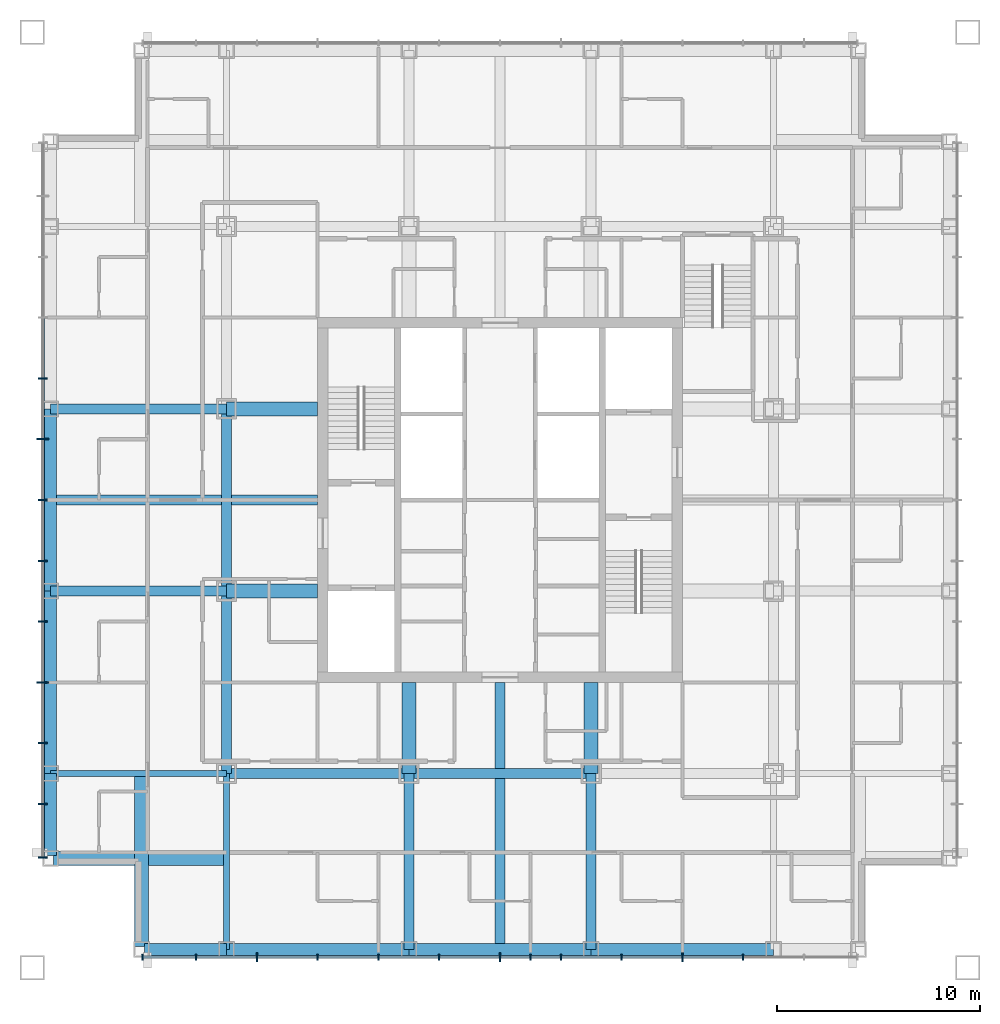
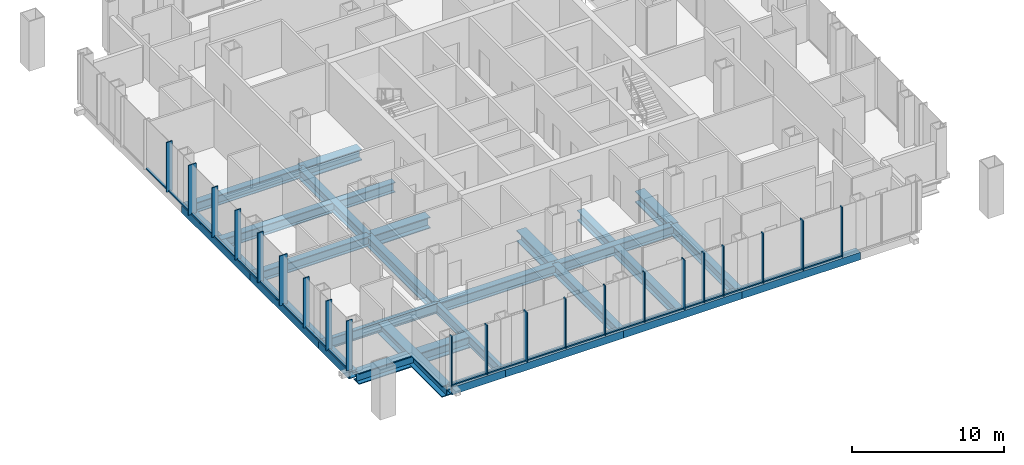
# One storey, part 2 of 11: 41 members, 25 beams, 2 elements without a shape of their own.
"""IFC4 building model written with IfcOpenShell, lengths in metres."""

import ifcopenshell
import ifcopenshell.guid

model = None  # the IFC model being written
_history = None  # IfcOwnerHistory: only IFC2X3 demands one
_inside = {}  # id of a spatial element -> (the spatial element, [elements in it])
_under = {}  # id of a project, library or spatial element -> (it, [spatial elements below it])
_declared = {}  # id of a project -> (the project, [libraries it declares])
_typed = {}  # id of a type object -> (the type object, [elements of that type])
_made_of = {}  # id of a material, layer set ... -> (it, [elements and type objects made of it])


def new_model(schema):
    """Start an empty IFC model of exactly this schema.

    Asked for "IFC4X3", IfcOpenShell would pick the latest addendum, in which some entities
    have other attributes; the version numbers below select the first issue.
    IFC2X3 requires an IfcOwnerHistory on every rooted entity: one is made here for all.
    """
    global model, _history
    if schema == "IFC4X3":
        model = ifcopenshell.file(schema_version=(4, 3, 0, 0))
    else:
        model = ifcopenshell.file(schema=schema)
    _inside.clear()
    _under.clear()
    _declared.clear()
    _typed.clear()
    _made_of.clear()
    _history = None
    if model.schema == "IFC2X3":
        org = make("IfcOrganization", Name="unknown")
        user = make(
            "IfcPersonAndOrganization",
            ThePerson=make("IfcPerson", FamilyName="unknown"),
            TheOrganization=org,
        )
        app = make(
            "IfcApplication",
            ApplicationDeveloper=org,
            Version="unknown",
            ApplicationFullName="unknown",
            ApplicationIdentifier="unknown",
        )
        _history = make(
            "IfcOwnerHistory",
            OwningUser=user,
            OwningApplication=app,
            ChangeAction="ADDED",
            CreationDate=0,
        )
    return model


def make(cls, **values):
    """One entity of the class cls with the attributes given. An attribute that is None is left unset."""
    return model.create_entity(
        cls, **{name: value for name, value in values.items() if value is not None}
    )


def rooted(cls, **values):
    """An entity with a GlobalId (a new one), such as an element, a storey or a relation."""
    return make(cls, GlobalId=ifcopenshell.guid.new(), OwnerHistory=_history, **values)


def si_unit(unit_type, name, prefix=None):
    """IfcSIUnit, for example si_unit("LENGTHUNIT", "METRE", prefix="MILLI")."""
    return make("IfcSIUnit", UnitType=unit_type, Prefix=prefix, Name=name)


def assignment(units):
    """IfcUnitAssignment: the units of a project."""
    return None if units is None else make("IfcUnitAssignment", Units=units)


def point(xyz):
    """IfcCartesianPoint."""
    return None if xyz is None else make("IfcCartesianPoint", Coordinates=xyz)


def direction(xyz):
    """IfcDirection."""
    return None if xyz is None else make("IfcDirection", DirectionRatios=xyz)


def frame(location, z_axis=None, x_axis=None):
    """IfcAxis2Placement3D, a coordinate frame: its origin and axes. An axis left out is left unset."""
    return make(
        "IfcAxis2Placement3D",
        Location=point(location),
        Axis=direction(z_axis),
        RefDirection=direction(x_axis),
    )


def frame_2d(location, x_axis=None):
    """IfcAxis2Placement2D, a coordinate frame in the plane: its origin and x axis."""
    return make(
        "IfcAxis2Placement2D", Location=point(location), RefDirection=direction(x_axis)
    )


def origin():
    """The frame at (0, 0, 0) with its axes left unset."""
    return frame((0.0, 0.0, 0.0))


def origin_2d():
    """The frame at (0, 0) in the plane with its x axis left unset."""
    return frame_2d((0.0, 0.0))


def place(relative_to, where):
    """IfcLocalPlacement: puts the frame where relative to a parent placement (None: the world)."""
    return make(
        "IfcLocalPlacement", PlacementRelTo=relative_to, RelativePlacement=where
    )


def context(
    kind, dimensions, precision=None, world=None, true_north=None, identifier=None
):
    """IfcGeometricRepresentationContext, for example the 3D "Model" context."""
    return make(
        "IfcGeometricRepresentationContext",
        ContextIdentifier=identifier,
        ContextType=kind,
        CoordinateSpaceDimension=dimensions,
        Precision=precision,
        WorldCoordinateSystem=world,
        TrueNorth=true_north,
    )


def subcontext(parent, identifier, kind, view, scale=None):
    """IfcGeometricRepresentationSubContext, for example "Body" below "Model"."""
    return make(
        "IfcGeometricRepresentationSubContext",
        ContextIdentifier=identifier,
        ContextType=kind,
        ParentContext=parent,
        TargetScale=scale,
        TargetView=view,
    )


def project(units=None, contexts=None):
    """IfcProject with its units and contexts."""
    return rooted(
        "IfcProject",
        Name="project",
        RepresentationContexts=contexts,
        UnitsInContext=assignment(units),
    )


def spatial(cls, under=None, at=None, **own):
    """A site, building, storey or space (cls), placed at a placement, below another one or the project."""
    s = rooted(cls, ObjectPlacement=at, **own)
    if under is not None:
        _under.setdefault(under.id(), (under, []))[1].append(s)
    return s


def profile(cls, at=None, kind="AREA", **sizes):
    """A parametric profile (cls). Its sizes go by their IFC names, for example OverallWidth=200.0."""
    return make(cls, ProfileType=kind, Position=at, **sizes)


def rectangle(**sizes):
    """IfcRectangleProfileDef."""
    return profile("IfcRectangleProfileDef", **sizes)


def hollow_rectangle(**sizes):
    """IfcRectangleHollowProfileDef."""
    return profile("IfcRectangleHollowProfileDef", **sizes)


def i_section(**sizes):
    """IfcIShapeProfileDef."""
    return profile("IfcIShapeProfileDef", **sizes)


def extrude(swept, where, along, depth):
    """IfcExtrudedAreaSolid: the profile swept, set in the frame where, extruded along a direction by depth."""
    return make(
        "IfcExtrudedAreaSolid",
        SweptArea=swept,
        Position=where,
        ExtrudedDirection=direction(along),
        Depth=depth,
    )


def shape(context_of_items, identifier, shape_type, items):
    """IfcShapeRepresentation: the items that make up one representation, for example the "Body"."""
    return make(
        "IfcShapeRepresentation",
        ContextOfItems=context_of_items,
        RepresentationIdentifier=identifier,
        RepresentationType=shape_type,
        Items=items,
    )


def material(Name=None, Category=None):
    """IfcMaterial."""
    return make("IfcMaterial", Name=Name, Category=Category)


def layer(
    of_material, thickness, ventilated=None, Name=None, Category=None, Priority=None
):
    """IfcMaterialLayer: one layer of a wall or slab, of a material (None: an air gap)."""
    return make(
        "IfcMaterialLayer",
        Material=of_material,
        LayerThickness=thickness,
        IsVentilated=ventilated,
        Name=Name,
        Category=Category,
        Priority=Priority,
    )


def layer_set(layers, Name=None):
    """IfcMaterialLayerSet."""
    return make("IfcMaterialLayerSet", MaterialLayers=layers, LayerSetName=Name)


def material_profile(
    of_material, cross_section, Name=None, Category=None, Priority=None
):
    """IfcMaterialProfile: a cross section and its material."""
    return make(
        "IfcMaterialProfile",
        Name=Name,
        Material=of_material,
        Profile=cross_section,
        Priority=Priority,
        Category=Category,
    )


def profile_set(profiles, Name=None, composite=None):
    """IfcMaterialProfileSet."""
    return make(
        "IfcMaterialProfileSet",
        Name=Name,
        MaterialProfiles=profiles,
        CompositeProfile=composite,
    )


def made_of(thing, what):
    """Note that an element or type object is made of a material, layer set ...; save() writes the relation."""
    if what is not None:
        _made_of.setdefault(what.id(), (what, []))[1].append(thing)
    return thing


def type_object(cls, material=None, **own):
    """A type object (cls), such as IfcWallType, which elements share."""
    return made_of(rooted(cls, **own), material)


def element(
    cls,
    number,
    at=None,
    inside=None,
    cuts=None,
    type_object=None,
    material=None,
    context=None,
    identifier="Body",
    shape_type=None,
    held_by="IfcProductDefinitionShape",
    body=None,
    shapes=None,
    **own,
):
    """One element of the class cls, such as IfcWall. Its Tag is "e" and its number.

    at: its placement. inside: the storey or other place that contains it. cuts: it is an
    opening in that element (IfcRelVoidsElement). A single representation is given by context,
    identifier, shape_type and body (its items); several are given by shapes. held_by: the class
    of the entity that holds the representations. save() writes the other relations.
    """
    e = rooted(cls, Tag="e%d" % number, ObjectPlacement=at, **own)
    if body is not None:
        shapes = [shape(context, identifier, shape_type, body)]
    if shapes is not None:
        e.Representation = make(held_by, Representations=shapes)
    if inside is not None:
        _inside.setdefault(inside.id(), (inside, []))[1].append(e)
    if cuts is not None:
        rooted(
            "IfcRelVoidsElement", RelatingBuildingElement=cuts, RelatedOpeningElement=e
        )
    if type_object is not None:
        _typed.setdefault(type_object.id(), (type_object, []))[1].append(e)
    return made_of(e, material)


def aggregate(whole, parts):
    """IfcRelAggregates: a whole, such as a stair, and the parts it consists of."""
    return rooted("IfcRelAggregates", RelatingObject=whole, RelatedObjects=parts)


def save(model, path):
    """Write the relations noted so far, then the file.

    IfcRelAggregates (storeys below a building ...), IfcRelContainedInSpatialStructure (elements
    in a storey), IfcRelDefinesByType, IfcRelAssociatesMaterial and IfcRelDeclares: one each for
    every whole, place, type object, material and project.
    """
    for whole, parts in _under.values():
        aggregate(whole, parts)
    for where, things in _inside.values():
        rooted(
            "IfcRelContainedInSpatialStructure",
            RelatedElements=things,
            RelatingStructure=where,
        )
    for kind, things in _typed.values():
        rooted("IfcRelDefinesByType", RelatedObjects=things, RelatingType=kind)
    for what, things in _made_of.values():
        rooted("IfcRelAssociatesMaterial", RelatedObjects=things, RelatingMaterial=what)
    for by, libraries in _declared.values():
        rooted("IfcRelDeclares", RelatingContext=by, RelatedDefinitions=libraries)
    model.write(path)


model = new_model("IFC4")

# Units and contexts
model_context = context("Model", 3, precision=1e-05, world=origin(), true_north=direction((0.0, 1.0)))
body_context = subcontext(model_context, "Body", "Model", "MODEL_VIEW")
ifc_project = project(units=[si_unit("LENGTHUNIT", "METRE"), si_unit("AREAUNIT", "SQUARE_METRE"), si_unit("VOLUMEUNIT", "CUBIC_METRE"), si_unit("PLANEANGLEUNIT", "RADIAN"), si_unit("MASSUNIT", "GRAM", prefix="KILO")], contexts=[model_context])

# Site, building, storey
site_placement = place(None, origin())
site = spatial("IfcSite", under=ifc_project, at=site_placement, CompositionType="ELEMENT")
building_placement = place(site_placement, origin())
building = spatial("IfcBuilding", under=site, at=building_placement, Name="Malebo Sky Hospital", CompositionType="ELEMENT")
storey_placement = place(building_placement, frame((0.0, 0.0, 205.0)))
storey = spatial("IfcBuildingStorey", under=building, at=storey_placement, Name="L49", CompositionType="ELEMENT", Elevation=205.0)

# Curtain wall, members
ifc_material_1 = material(Name="Anodised aluminium, natural silver", Category="aluminium")
ifc_layer_1 = layer(ifc_material_1, 0.25)
ifc_layer_set_1 = layer_set([ifc_layer_1], Name="WARD CURTAIN WALL EAST AND WEST")
curtain_wall_type_1 = type_object("IfcCurtainWallType", Name="WARD CURTAIN WALL EAST AND WEST", PredefinedType="NOTDEFINED", material=ifc_layer_set_1)
curtain_wall_1_placement = place(storey_placement, origin())
curtain_wall_1 = element("IfcCurtainWall", 1, at=curtain_wall_1_placement, inside=storey, type_object=curtain_wall_type_1, Name="EW curtain wall W", PredefinedType="NOTDEFINED")
ifc_material_profile_1 = material_profile(ifc_material_1, rectangle(XDim=0.14990234375, YDim=0.10009765625, at=origin_2d()), Name="ALUMINIUM TRANSOM 150x100")
ifc_profile_set_1 = profile_set([ifc_material_profile_1], Name="Anodised aluminium, natural silver")
member_type_1 = type_object("IfcMemberType", Name="ALUMINIUM TRANSOM 150x100", PredefinedType="USERDEFINED", material=ifc_profile_set_1)
member_1_placement = place(storey_placement, frame((37.425048828125, 44.375, 0.050048828125), z_axis=(0.0, 1.0, 0.0), x_axis=(-1.0, 0.0, 0.0)))
member_1 = element("IfcMember", 2, at=member_1_placement, type_object=member_type_1, Name="Transom 1", ObjectType="TRANSOM", PredefinedType="USERDEFINED", context=body_context, shape_type="SweptSolid", body=[
    extrude(rectangle(XDim=0.14990234375, YDim=0.10009765625, at=origin_2d()), origin(), (0.0, 0.0, 1.0), 2.58740234375),
])
member_2_placement = place(storey_placement, frame((37.425048828125, 47.03759765625, 0.050048828125), z_axis=(0.0, 1.0, 0.0), x_axis=(-1.0, 0.0, 0.0)))
member_2 = element("IfcMember", 3, at=member_2_placement, type_object=member_type_1, Name="Transom 2", ObjectType="TRANSOM", PredefinedType="USERDEFINED", context=body_context, shape_type="SweptSolid", body=[
    extrude(rectangle(XDim=0.14990234375, YDim=0.10009765625, at=origin_2d()), origin(), (0.0, 0.0, 1.0), 2.9248046875),
])
member_3_placement = place(storey_placement, frame((37.425048828125, 50.03759765625, 0.050048828125), z_axis=(0.0, 1.0, 0.0), x_axis=(-1.0, 0.0, 0.0)))
member_3 = element("IfcMember", 4, at=member_3_placement, type_object=member_type_1, Name="Transom 3", ObjectType="TRANSOM", PredefinedType="USERDEFINED", context=body_context, shape_type="SweptSolid", body=[
    extrude(rectangle(XDim=0.14990234375, YDim=0.10009765625, at=origin_2d()), origin(), (0.0, 0.0, 1.0), 2.9248046875),
])
member_4_placement = place(storey_placement, frame((37.425048828125, 53.03759765625, 0.050048828125), z_axis=(0.0, 1.0, 0.0), x_axis=(-1.0, 0.0, 0.0)))
member_4 = element("IfcMember", 5, at=member_4_placement, type_object=member_type_1, Name="Transom 4", ObjectType="TRANSOM", PredefinedType="USERDEFINED", context=body_context, shape_type="SweptSolid", body=[
    extrude(rectangle(XDim=0.14990234375, YDim=0.10009765625, at=origin_2d()), origin(), (0.0, 0.0, 1.0), 2.9248046875),
])
member_5_placement = place(storey_placement, frame((37.425048828125, 56.03759765625, 0.050048828125), z_axis=(0.0, 1.0, 0.0), x_axis=(-1.0, 0.0, 0.0)))
member_5 = element("IfcMember", 6, at=member_5_placement, type_object=member_type_1, Name="Transom 5", ObjectType="TRANSOM", PredefinedType="USERDEFINED", context=body_context, shape_type="SweptSolid", body=[
    extrude(rectangle(XDim=0.14990234375, YDim=0.10009765625, at=origin_2d()), origin(), (0.0, 0.0, 1.0), 2.9248046875),
])
member_6_placement = place(storey_placement, frame((37.425048828125, 59.03759765625, 0.050048828125), z_axis=(0.0, 1.0, 0.0), x_axis=(-1.0, 0.0, 0.0)))
member_6 = element("IfcMember", 7, at=member_6_placement, type_object=member_type_1, Name="Transom 6", ObjectType="TRANSOM", PredefinedType="USERDEFINED", context=body_context, shape_type="SweptSolid", body=[
    extrude(rectangle(XDim=0.14990234375, YDim=0.10009765625, at=origin_2d()), origin(), (0.0, 0.0, 1.0), 2.9248046875),
])
member_7_placement = place(storey_placement, frame((37.425048828125, 62.03759765625, 0.050048828125), z_axis=(0.0, 1.0, 0.0), x_axis=(-1.0, 0.0, 0.0)))
member_7 = element("IfcMember", 8, at=member_7_placement, type_object=member_type_1, Name="Transom 7", ObjectType="TRANSOM", PredefinedType="USERDEFINED", context=body_context, shape_type="SweptSolid", body=[
    extrude(rectangle(XDim=0.14990234375, YDim=0.10009765625, at=origin_2d()), origin(), (0.0, 0.0, 1.0), 2.9248046875),
])
member_8_placement = place(storey_placement, frame((37.425048828125, 65.03759765625, 0.050048828125), z_axis=(0.0, 1.0, 0.0), x_axis=(-1.0, 0.0, 0.0)))
member_8 = element("IfcMember", 9, at=member_8_placement, type_object=member_type_1, Name="Transom 8", ObjectType="TRANSOM", PredefinedType="USERDEFINED", context=body_context, shape_type="SweptSolid", body=[
    extrude(rectangle(XDim=0.14990234375, YDim=0.10009765625, at=origin_2d()), origin(), (0.0, 0.0, 1.0), 2.9248046875),
])
member_9_placement = place(storey_placement, frame((37.425048828125, 68.03759765625, 0.050048828125), z_axis=(0.0, 1.0, 0.0), x_axis=(-1.0, 0.0, 0.0)))
member_9 = element("IfcMember", 10, at=member_9_placement, type_object=member_type_1, Name="Transom 9", ObjectType="TRANSOM", PredefinedType="USERDEFINED", context=body_context, shape_type="SweptSolid", body=[
    extrude(rectangle(XDim=0.14990234375, YDim=0.10009765625, at=origin_2d()), origin(), (0.0, 0.0, 1.0), 2.9248046875),
])

ifc_layer_2 = layer(ifc_material_1, 0.25)
ifc_layer_set_2 = layer_set([ifc_layer_2], Name="WARD CURTAIN WALL NORTH AND SOUTH")
curtain_wall_type_2 = type_object("IfcCurtainWallType", Name="WARD CURTAIN WALL NORTH AND SOUTH", PredefinedType="NOTDEFINED", material=ifc_layer_set_2)
curtain_wall_2_placement = place(storey_placement, origin())
curtain_wall_2 = element("IfcCurtainWall", 11, at=curtain_wall_2_placement, inside=storey, type_object=curtain_wall_type_2, Name="NS curtain wall S", PredefinedType="NOTDEFINED")
member_10_placement = place(storey_placement, frame((71.96240234375, 39.425048828125, 0.050048828125), z_axis=(-1.0, 0.0, 0.0), x_axis=(0.0, -1.0, 0.0)))
member_10 = element("IfcMember", 12, at=member_10_placement, type_object=member_type_1, Name="Transom 3", ObjectType="TRANSOM", PredefinedType="USERDEFINED", context=body_context, shape_type="SweptSolid", body=[
    extrude(rectangle(XDim=0.14990234375, YDim=0.10009765625, at=origin_2d()), origin(), (0.0, 0.0, 1.0), 2.9248046875),
])
member_11_placement = place(storey_placement, frame((68.96240234375, 39.425048828125, 0.050048828125), z_axis=(-1.0, 0.0, 0.0), x_axis=(0.0, -1.0, 0.0)))
member_11 = element("IfcMember", 13, at=member_11_placement, type_object=member_type_1, Name="Transom 4", ObjectType="TRANSOM", PredefinedType="USERDEFINED", context=body_context, shape_type="SweptSolid", body=[
    extrude(rectangle(XDim=0.14990234375, YDim=0.10009765625, at=origin_2d()), origin(), (0.0, 0.0, 1.0), 2.9248046875),
])
member_12_placement = place(storey_placement, frame((65.96240234375, 39.425048828125, 0.050048828125), z_axis=(-1.0, 0.0, 0.0), x_axis=(0.0, -1.0, 0.0)))
member_12 = element("IfcMember", 14, at=member_12_placement, type_object=member_type_1, Name="Transom 5", ObjectType="TRANSOM", PredefinedType="USERDEFINED", context=body_context, shape_type="SweptSolid", body=[
    extrude(rectangle(XDim=0.14990234375, YDim=0.10009765625, at=origin_2d()), origin(), (0.0, 0.0, 1.0), 2.9248046875),
])
member_13_placement = place(storey_placement, frame((62.96240234375, 39.425048828125, 0.050048828125), z_axis=(-1.0, 0.0, 0.0), x_axis=(0.0, -1.0, 0.0)))
member_13 = element("IfcMember", 15, at=member_13_placement, type_object=member_type_1, Name="Transom 6", ObjectType="TRANSOM", PredefinedType="USERDEFINED", context=body_context, shape_type="SweptSolid", body=[
    extrude(rectangle(XDim=0.14990234375, YDim=0.10009765625, at=origin_2d()), origin(), (0.0, 0.0, 1.0), 1.4248046875),
])
member_14_placement = place(storey_placement, frame((61.46240234375, 39.425048828125, 0.050048828125), z_axis=(-1.0, 0.0, 0.0), x_axis=(0.0, -1.0, 0.0)))
member_14 = element("IfcMember", 16, at=member_14_placement, type_object=member_type_1, Name="Transom 7", ObjectType="TRANSOM", PredefinedType="USERDEFINED", context=body_context, shape_type="SweptSolid", body=[
    extrude(rectangle(XDim=0.14990234375, YDim=0.10009765625, at=origin_2d()), origin(), (0.0, 0.0, 1.0), 1.4248046875),
])
member_15_placement = place(storey_placement, frame((59.96240234375, 39.425048828125, 0.050048828125), z_axis=(-1.0, 0.0, 0.0), x_axis=(0.0, -1.0, 0.0)))
member_15 = element("IfcMember", 17, at=member_15_placement, type_object=member_type_1, Name="Transom 8", ObjectType="TRANSOM", PredefinedType="USERDEFINED", context=body_context, shape_type="SweptSolid", body=[
    extrude(rectangle(XDim=0.14990234375, YDim=0.10009765625, at=origin_2d()), origin(), (0.0, 0.0, 1.0), 2.9248046875),
])
member_16_placement = place(storey_placement, frame((56.96240234375, 39.425048828125, 0.050048828125), z_axis=(-1.0, 0.0, 0.0), x_axis=(0.0, -1.0, 0.0)))
member_16 = element("IfcMember", 18, at=member_16_placement, type_object=member_type_1, Name="Transom 9", ObjectType="TRANSOM", PredefinedType="USERDEFINED", context=body_context, shape_type="SweptSolid", body=[
    extrude(rectangle(XDim=0.14990234375, YDim=0.10009765625, at=origin_2d()), origin(), (0.0, 0.0, 1.0), 2.9248046875),
])
member_17_placement = place(storey_placement, frame((53.96240234375, 39.425048828125, 0.050048828125), z_axis=(-1.0, 0.0, 0.0), x_axis=(0.0, -1.0, 0.0)))
member_17 = element("IfcMember", 19, at=member_17_placement, type_object=member_type_1, Name="Transom 10", ObjectType="TRANSOM", PredefinedType="USERDEFINED", context=body_context, shape_type="SweptSolid", body=[
    extrude(rectangle(XDim=0.14990234375, YDim=0.10009765625, at=origin_2d()), origin(), (0.0, 0.0, 1.0), 2.9248046875),
])
member_18_placement = place(storey_placement, frame((50.96240234375, 39.425048828125, 0.050048828125), z_axis=(-1.0, 0.0, 0.0), x_axis=(0.0, -1.0, 0.0)))
member_18 = element("IfcMember", 20, at=member_18_placement, type_object=member_type_1, Name="Transom 11", ObjectType="TRANSOM", PredefinedType="USERDEFINED", context=body_context, shape_type="SweptSolid", body=[
    extrude(rectangle(XDim=0.14990234375, YDim=0.10009765625, at=origin_2d()), origin(), (0.0, 0.0, 1.0), 2.9248046875),
])
member_19_placement = place(storey_placement, frame((47.96240234375, 39.425048828125, 0.050048828125), z_axis=(-1.0, 0.0, 0.0), x_axis=(0.0, -1.0, 0.0)))
member_19 = element("IfcMember", 21, at=member_19_placement, type_object=member_type_1, Name="Transom 12", ObjectType="TRANSOM", PredefinedType="USERDEFINED", context=body_context, shape_type="SweptSolid", body=[
    extrude(rectangle(XDim=0.14990234375, YDim=0.10009765625, at=origin_2d()), origin(), (0.0, 0.0, 1.0), 2.9248046875),
])
member_20_placement = place(storey_placement, frame((44.96240234375, 39.425048828125, 0.050048828125), z_axis=(-1.0, 0.0, 0.0), x_axis=(0.0, -1.0, 0.0)))
member_20 = element("IfcMember", 22, at=member_20_placement, type_object=member_type_1, Name="Transom 13", ObjectType="TRANSOM", PredefinedType="USERDEFINED", context=body_context, shape_type="SweptSolid", body=[
    extrude(rectangle(XDim=0.14990234375, YDim=0.10009765625, at=origin_2d()), origin(), (0.0, 0.0, 1.0), 2.58740234375),
])
ifc_material_profile_2 = material_profile(ifc_material_1, rectangle(XDim=0.074951171875, YDim=0.300048828125, at=origin_2d()), Name="CW1 ALUMINIUM FIN MULLION 75x300")
ifc_profile_set_2 = profile_set([ifc_material_profile_2], Name="Anodised aluminium, natural silver")
member_type_2 = type_object("IfcMemberType", Name="CW1 ALUMINIUM FIN MULLION 75x300", PredefinedType="MULLION", material=ifc_profile_set_2)
member_21_placement = place(storey_placement, frame((72.0, 39.425048828125, 0.0), z_axis=(0.0, 0.0, 1.0), x_axis=(-1.0, 0.0, 0.0)))
member_21 = element("IfcMember", 23, at=member_21_placement, type_object=member_type_2, Name="Fin mullion 3", PredefinedType="MULLION", context=body_context, shape_type="SweptSolid", body=[
    extrude(rectangle(XDim=0.074951171875, YDim=0.300048828125, at=origin_2d()), origin(), (0.0, 0.0, 1.0), 4.0),
])
member_22_placement = place(storey_placement, frame((66.0, 39.425048828125, 0.0), z_axis=(0.0, 0.0, 1.0), x_axis=(-1.0, 0.0, 0.0)))
member_22 = element("IfcMember", 24, at=member_22_placement, type_object=member_type_2, Name="Fin mullion 5", PredefinedType="MULLION", context=body_context, shape_type="SweptSolid", body=[
    extrude(rectangle(XDim=0.074951171875, YDim=0.300048828125, at=origin_2d()), origin(), (0.0, 0.0, 1.0), 4.0),
])
member_23_placement = place(storey_placement, frame((63.0, 39.425048828125, 0.0), z_axis=(0.0, 0.0, 1.0), x_axis=(-1.0, 0.0, 0.0)))
member_23 = element("IfcMember", 25, at=member_23_placement, type_object=member_type_2, Name="Fin mullion 6", PredefinedType="MULLION", context=body_context, shape_type="SweptSolid", body=[
    extrude(rectangle(XDim=0.074951171875, YDim=0.300048828125, at=origin_2d()), origin(), (0.0, 0.0, 1.0), 4.0),
])
member_24_placement = place(storey_placement, frame((61.5, 39.425048828125, 0.0), z_axis=(0.0, 0.0, 1.0), x_axis=(-1.0, 0.0, 0.0)))
member_24 = element("IfcMember", 26, at=member_24_placement, type_object=member_type_2, Name="Fin mullion 7", PredefinedType="MULLION", context=body_context, shape_type="SweptSolid", body=[
    extrude(rectangle(XDim=0.074951171875, YDim=0.300048828125, at=origin_2d()), origin(), (0.0, 0.0, 1.0), 4.0),
])
member_25_placement = place(storey_placement, frame((57.0, 39.425048828125, 0.0), z_axis=(0.0, 0.0, 1.0), x_axis=(-1.0, 0.0, 0.0)))
member_25 = element("IfcMember", 27, at=member_25_placement, type_object=member_type_2, Name="Fin mullion 9", PredefinedType="MULLION", context=body_context, shape_type="SweptSolid", body=[
    extrude(rectangle(XDim=0.074951171875, YDim=0.300048828125, at=origin_2d()), origin(), (0.0, 0.0, 1.0), 4.0),
])
member_26_placement = place(storey_placement, frame((54.0, 39.425048828125, 0.0), z_axis=(0.0, 0.0, 1.0), x_axis=(-1.0, 0.0, 0.0)))
member_26 = element("IfcMember", 28, at=member_26_placement, type_object=member_type_2, Name="Fin mullion 10", PredefinedType="MULLION", context=body_context, shape_type="SweptSolid", body=[
    extrude(rectangle(XDim=0.074951171875, YDim=0.300048828125, at=origin_2d()), origin(), (0.0, 0.0, 1.0), 4.0),
])
member_27_placement = place(storey_placement, frame((51.0, 39.425048828125, 0.0), z_axis=(0.0, 0.0, 1.0), x_axis=(-1.0, 0.0, 0.0)))
member_27 = element("IfcMember", 29, at=member_27_placement, type_object=member_type_2, Name="Fin mullion 11", PredefinedType="MULLION", context=body_context, shape_type="SweptSolid", body=[
    extrude(rectangle(XDim=0.074951171875, YDim=0.300048828125, at=origin_2d()), origin(), (0.0, 0.0, 1.0), 4.0),
])
member_28_placement = place(storey_placement, frame((45.0, 39.425048828125, 0.0), z_axis=(0.0, 0.0, 1.0), x_axis=(-1.0, 0.0, 0.0)))
member_28 = element("IfcMember", 30, at=member_28_placement, type_object=member_type_2, Name="Fin mullion 13", PredefinedType="MULLION", context=body_context, shape_type="SweptSolid", body=[
    extrude(rectangle(XDim=0.074951171875, YDim=0.300048828125, at=origin_2d()), origin(), (0.0, 0.0, 1.0), 4.0),
])
member_29_placement = place(storey_placement, frame((42.33740234375, 39.425048828125, 0.0), z_axis=(0.0, 0.0, 1.0), x_axis=(-1.0, 0.0, 0.0)))
member_29 = element("IfcMember", 31, at=member_29_placement, type_object=member_type_2, Name="Fin mullion 14", PredefinedType="MULLION", context=body_context, shape_type="SweptSolid", body=[
    extrude(rectangle(XDim=0.074951171875, YDim=0.300048828125, at=origin_2d()), origin(), (0.0, 0.0, 1.0), 4.0),
])
ifc_material_profile_3 = material_profile(ifc_material_1, rectangle(XDim=0.074951171875, YDim=0.449951171875, at=origin_2d()), Name="CW1 ALUMINIUM FIN MULLION 75x450")
ifc_profile_set_3 = profile_set([ifc_material_profile_3], Name="Anodised aluminium, natural silver")
member_type_3 = type_object("IfcMemberType", Name="CW1 ALUMINIUM FIN MULLION 75x450", PredefinedType="MULLION", material=ifc_profile_set_3)
member_30_placement = place(storey_placement, frame((69.0, 39.425048828125, 0.0), z_axis=(0.0, 0.0, 1.0), x_axis=(-1.0, 0.0, 0.0)))
member_30 = element("IfcMember", 32, at=member_30_placement, type_object=member_type_3, Name="Fin mullion 4", PredefinedType="MULLION", context=body_context, shape_type="SweptSolid", body=[
    extrude(rectangle(XDim=0.074951171875, YDim=0.449951171875, at=origin_2d()), origin(), (0.0, 0.0, 1.0), 4.0),
])
member_31_placement = place(storey_placement, frame((60.0, 39.425048828125, 0.0), z_axis=(0.0, 0.0, 1.0), x_axis=(-1.0, 0.0, 0.0)))
member_31 = element("IfcMember", 33, at=member_31_placement, type_object=member_type_3, Name="Fin mullion 8", PredefinedType="MULLION", context=body_context, shape_type="SweptSolid", body=[
    extrude(rectangle(XDim=0.074951171875, YDim=0.449951171875, at=origin_2d()), origin(), (0.0, 0.0, 1.0), 4.0),
])
member_32_placement = place(storey_placement, frame((48.0, 39.425048828125, 0.0), z_axis=(0.0, 0.0, 1.0), x_axis=(-1.0, 0.0, 0.0)))
member_32 = element("IfcMember", 34, at=member_32_placement, type_object=member_type_3, Name="Fin mullion 12", PredefinedType="MULLION", context=body_context, shape_type="SweptSolid", body=[
    extrude(rectangle(XDim=0.074951171875, YDim=0.449951171875, at=origin_2d()), origin(), (0.0, 0.0, 1.0), 4.0),
])
aggregate(curtain_wall_2, [member_21, member_30, member_22, member_23, member_24, member_31, member_25, member_26, member_27, member_32, member_28, member_29, member_10, member_11, member_12, member_13, member_14, member_15, member_16, member_17, member_18, member_19, member_20])

# Member
ifc_material_profile_4 = material_profile(ifc_material_1, rectangle(XDim=0.074951171875, YDim=0.449951171875, at=origin_2d()), Name="CW2 ALUMINIUM FIN MULLION 75x450")
ifc_profile_set_4 = profile_set([ifc_material_profile_4], Name="Anodised aluminium, natural silver")
member_type_4 = type_object("IfcMemberType", Name="CW2 ALUMINIUM FIN MULLION 75x450", PredefinedType="MULLION", material=ifc_profile_set_4)
member_33_placement = place(storey_placement, frame((37.425048828125, 44.33740234375, 0.0), z_axis=(0.0, 0.0, 1.0), x_axis=(0.0, 1.0, 0.0)))
member_33 = element("IfcMember", 35, at=member_33_placement, type_object=member_type_4, Name="Fin mullion 1", PredefinedType="MULLION", context=body_context, shape_type="SweptSolid", body=[
    extrude(rectangle(XDim=0.074951171875, YDim=0.449951171875, at=origin_2d()), origin(), (0.0, 0.0, 1.0), 4.0),
])

member_34_placement = place(storey_placement, frame((37.425048828125, 47.0, 0.0), z_axis=(0.0, 0.0, 1.0), x_axis=(0.0, 1.0, 0.0)))
member_34 = element("IfcMember", 36, at=member_34_placement, type_object=member_type_4, Name="Fin mullion 2", PredefinedType="MULLION", context=body_context, shape_type="SweptSolid", body=[
    extrude(rectangle(XDim=0.074951171875, YDim=0.449951171875, at=origin_2d()), origin(), (0.0, 0.0, 1.0), 4.0),
])

member_35_placement = place(storey_placement, frame((37.425048828125, 50.0, 0.0), z_axis=(0.0, 0.0, 1.0), x_axis=(0.0, 1.0, 0.0)))
member_35 = element("IfcMember", 37, at=member_35_placement, type_object=member_type_4, Name="Fin mullion 3", PredefinedType="MULLION", context=body_context, shape_type="SweptSolid", body=[
    extrude(rectangle(XDim=0.074951171875, YDim=0.449951171875, at=origin_2d()), origin(), (0.0, 0.0, 1.0), 4.0),
])

member_36_placement = place(storey_placement, frame((37.425048828125, 56.0, 0.0), z_axis=(0.0, 0.0, 1.0), x_axis=(0.0, 1.0, 0.0)))
member_36 = element("IfcMember", 38, at=member_36_placement, type_object=member_type_4, Name="Fin mullion 5", PredefinedType="MULLION", context=body_context, shape_type="SweptSolid", body=[
    extrude(rectangle(XDim=0.074951171875, YDim=0.449951171875, at=origin_2d()), origin(), (0.0, 0.0, 1.0), 4.0),
])

member_37_placement = place(storey_placement, frame((37.425048828125, 59.0, 0.0), z_axis=(0.0, 0.0, 1.0), x_axis=(0.0, 1.0, 0.0)))
member_37 = element("IfcMember", 39, at=member_37_placement, type_object=member_type_4, Name="Fin mullion 6", PredefinedType="MULLION", context=body_context, shape_type="SweptSolid", body=[
    extrude(rectangle(XDim=0.074951171875, YDim=0.449951171875, at=origin_2d()), origin(), (0.0, 0.0, 1.0), 4.0),
])

member_38_placement = place(storey_placement, frame((37.425048828125, 62.0, 0.0), z_axis=(0.0, 0.0, 1.0), x_axis=(0.0, 1.0, 0.0)))
member_38 = element("IfcMember", 40, at=member_38_placement, type_object=member_type_4, Name="Fin mullion 7", PredefinedType="MULLION", context=body_context, shape_type="SweptSolid", body=[
    extrude(rectangle(XDim=0.074951171875, YDim=0.449951171875, at=origin_2d()), origin(), (0.0, 0.0, 1.0), 4.0),
])

member_39_placement = place(storey_placement, frame((37.425048828125, 68.0, 0.0), z_axis=(0.0, 0.0, 1.0), x_axis=(0.0, 1.0, 0.0)))
member_39 = element("IfcMember", 41, at=member_39_placement, type_object=member_type_4, Name="Fin mullion 9", PredefinedType="MULLION", context=body_context, shape_type="SweptSolid", body=[
    extrude(rectangle(XDim=0.074951171875, YDim=0.449951171875, at=origin_2d()), origin(), (0.0, 0.0, 1.0), 4.0),
])

ifc_material_profile_5 = material_profile(ifc_material_1, rectangle(XDim=0.074951171875, YDim=0.60009765625, at=origin_2d()), Name="CW2 ALUMINIUM FIN MULLION 75x600")
ifc_profile_set_5 = profile_set([ifc_material_profile_5], Name="Anodised aluminium, natural silver")
member_type_5 = type_object("IfcMemberType", Name="CW2 ALUMINIUM FIN MULLION 75x600", PredefinedType="MULLION", material=ifc_profile_set_5)
member_40_placement = place(storey_placement, frame((37.425048828125, 53.0, 0.0), z_axis=(0.0, 0.0, 1.0), x_axis=(0.0, 1.0, 0.0)))
member_40 = element("IfcMember", 42, at=member_40_placement, type_object=member_type_5, Name="Fin mullion 4", PredefinedType="MULLION", context=body_context, shape_type="SweptSolid", body=[
    extrude(rectangle(XDim=0.074951171875, YDim=0.60009765625, at=origin_2d()), origin(), (0.0, 0.0, 1.0), 4.0),
])

member_41_placement = place(storey_placement, frame((37.425048828125, 65.0, 0.0), z_axis=(0.0, 0.0, 1.0), x_axis=(0.0, 1.0, 0.0)))
member_41 = element("IfcMember", 43, at=member_41_placement, type_object=member_type_5, Name="Fin mullion 8", PredefinedType="MULLION", context=body_context, shape_type="SweptSolid", body=[
    extrude(rectangle(XDim=0.074951171875, YDim=0.60009765625, at=origin_2d()), origin(), (0.0, 0.0, 1.0), 4.0),
])

aggregate(curtain_wall_1, [member_33, member_34, member_35, member_40, member_36, member_37, member_38, member_41, member_39, member_1, member_2, member_3, member_4, member_5, member_6, member_7, member_8, member_9])

# Beams
ifc_material_2 = material(Name="Steel S460", Category="steel")
ifc_material_profile_6 = material_profile(ifc_material_2, hollow_rectangle(XDim=0.60009765625, YDim=0.60009765625, WallThickness=0.0400390625, at=origin_2d()), Name="BOX 600x600x40")
ifc_profile_set_6 = profile_set([ifc_material_profile_6], Name="Steel S460")
beam_type_1 = type_object("IfcBeamType", Name="EDGE BEAM BOX 600x600x40", PredefinedType="BEAM", material=ifc_profile_set_6)
beam_1_placement = place(storey_placement, frame((37.800048828125, 44.449951171875, -0.550048828125), z_axis=(0.0, 1.0, 0.0), x_axis=(-1.0, 0.0, 0.0)))
element("IfcBeam", 44, at=beam_1_placement, inside=storey, type_object=beam_type_1, Name="Beam 000 L49", PredefinedType="BEAM", context=body_context, shape_type="SweptSolid", body=[
    extrude(hollow_rectangle(XDim=0.60009765625, YDim=0.60009765625, WallThickness=0.0400390625, at=origin_2d()), origin(), (0.0, 0.0, 1.0), 4.050048828125),
])
for number, where, z_axis, x_axis, name in (
    (45, (37.800048828125, 48.5, -0.550048828125), (0.0, 1.0, 0.0), (-1.0, 0.0, 0.0), "Beam 001 L49"),
    (46, (37.800048828125, 57.5, -0.550048828125), (0.0, 1.0, 0.0), (-1.0, 0.0, 0.0), "Beam 002 L49"),
):
    element("IfcBeam", number, at=place(storey_placement, frame(where, z_axis=z_axis, x_axis=x_axis)), inside=storey, type_object=beam_type_1, Name=name, PredefinedType="BEAM", context=body_context, shape_type="SweptSolid", body=[
        extrude(hollow_rectangle(XDim=0.60009765625, YDim=0.60009765625, WallThickness=0.0400390625, at=origin_2d()), origin(), (0.0, 0.0, 1.0), 9.0),
    ])
beam_2_placement = place(storey_placement, frame((42.449951171875, 39.800048828125, -0.550048828125), z_axis=(1.0, 0.0, 0.0), x_axis=(0.0, 1.0, 0.0)))
element("IfcBeam", 47, at=beam_2_placement, inside=storey, type_object=beam_type_1, Name="Beam 034 L49", PredefinedType="BEAM", context=body_context, shape_type="SweptSolid", body=[
    extrude(hollow_rectangle(XDim=0.60009765625, YDim=0.60009765625, WallThickness=0.0400390625, at=origin_2d()), origin(), (0.0, 0.0, 1.0), 4.050048828125),
])
for number, where, z_axis, x_axis, name in (
    (48, (46.5, 39.800048828125, -0.550048828125), (1.0, 0.0, 0.0), (0.0, 1.0, 0.0), "Beam 035 L49"),
    (49, (55.5, 39.800048828125, -0.550048828125), (1.0, 0.0, 0.0), (0.0, 1.0, 0.0), "Beam 036 L49"),
    (50, (64.5, 39.800048828125, -0.550048828125), (1.0, 0.0, 0.0), (0.0, 1.0, 0.0), "Beam 037 L49"),
):
    element("IfcBeam", number, at=place(storey_placement, frame(where, z_axis=z_axis, x_axis=x_axis)), inside=storey, type_object=beam_type_1, Name=name, PredefinedType="BEAM", context=body_context, shape_type="SweptSolid", body=[
        extrude(hollow_rectangle(XDim=0.60009765625, YDim=0.60009765625, WallThickness=0.0400390625, at=origin_2d()), origin(), (0.0, 0.0, 1.0), 9.0),
    ])
ifc_material_3 = material(Name="Steel S355", Category="steel")
ifc_material_profile_7 = material_profile(ifc_material_3, i_section(OverallWidth=0.5, OverallDepth=0.800048828125, WebThickness=0.030029296875, FlangeThickness=0.050048828125, at=origin_2d()), Name="PG 800x500x30x50")
ifc_profile_set_7 = profile_set([ifc_material_profile_7], Name="Steel S355")
beam_type_2 = type_object("IfcBeamType", Name="FLOOR BEAM PG 800x500x30x50", PredefinedType="BEAM", material=ifc_profile_set_7)
beam_3_placement = place(storey_placement, frame((46.5, 48.5, -0.64990234375), z_axis=(0.0, 1.0, 0.0), x_axis=(-1.0, 0.0, 0.0)))
element("IfcBeam", 51, at=beam_3_placement, inside=storey, type_object=beam_type_2, Name="Beam 008 L49", PredefinedType="BEAM", context=body_context, shape_type="SweptSolid", body=[
    extrude(i_section(OverallWidth=0.5, OverallDepth=0.800048828125, WebThickness=0.030029296875, FlangeThickness=0.050048828125, at=origin_2d()), origin(), (0.0, 0.0, 1.0), 9.0),
])
beam_4_placement = place(storey_placement, frame((55.5, 39.800048828125, -0.64990234375), z_axis=(0.0, 1.0, 0.0), x_axis=(-1.0, 0.0, 0.0)))
element("IfcBeam", 52, at=beam_4_placement, inside=storey, type_object=beam_type_2, Name="Beam 012 L49", PredefinedType="BEAM", context=body_context, shape_type="SweptSolid", body=[
    extrude(i_section(OverallWidth=0.5, OverallDepth=0.800048828125, WebThickness=0.030029296875, FlangeThickness=0.050048828125, at=origin_2d()), origin(), (0.0, 0.0, 1.0), 8.699951171875),
])
beam_5_placement = place(storey_placement, frame((60.0, 39.800048828125, -0.64990234375), z_axis=(0.0, 1.0, 0.0), x_axis=(-1.0, 0.0, 0.0)))
element("IfcBeam", 53, at=beam_5_placement, inside=storey, type_object=beam_type_2, Name="Beam 016 L49", PredefinedType="BEAM", context=body_context, shape_type="SweptSolid", body=[
    extrude(i_section(OverallWidth=0.5, OverallDepth=0.800048828125, WebThickness=0.030029296875, FlangeThickness=0.050048828125, at=origin_2d()), origin(), (0.0, 0.0, 1.0), 13.199951171875),
])
beam_6_placement = place(storey_placement, frame((64.5, 39.800048828125, -0.64990234375), z_axis=(0.0, 1.0, 0.0), x_axis=(-1.0, 0.0, 0.0)))
element("IfcBeam", 54, at=beam_6_placement, inside=storey, type_object=beam_type_2, Name="Beam 018 L49", PredefinedType="BEAM", context=body_context, shape_type="SweptSolid", body=[
    extrude(i_section(OverallWidth=0.5, OverallDepth=0.800048828125, WebThickness=0.030029296875, FlangeThickness=0.050048828125, at=origin_2d()), origin(), (0.0, 0.0, 1.0), 8.699951171875),
])
beam_7_placement = place(storey_placement, frame((46.5, 48.5, -0.64990234375), z_axis=(1.0, 0.0, 0.0), x_axis=(0.0, 1.0, 0.0)))
element("IfcBeam", 55, at=beam_7_placement, inside=storey, type_object=beam_type_2, Name="Beam 042 L49", PredefinedType="BEAM", context=body_context, shape_type="SweptSolid", body=[
    extrude(i_section(OverallWidth=0.5, OverallDepth=0.800048828125, WebThickness=0.030029296875, FlangeThickness=0.050048828125, at=origin_2d()), origin(), (0.0, 0.0, 1.0), 9.0),
])
beam_8_placement = place(storey_placement, frame((37.800048828125, 57.5, -0.64990234375), z_axis=(1.0, 0.0, 0.0), x_axis=(0.0, 1.0, 0.0)))
element("IfcBeam", 56, at=beam_8_placement, inside=storey, type_object=beam_type_2, Name="Beam 046 L49", PredefinedType="BEAM", context=body_context, shape_type="SweptSolid", body=[
    extrude(i_section(OverallWidth=0.5, OverallDepth=0.800048828125, WebThickness=0.030029296875, FlangeThickness=0.050048828125, at=origin_2d()), origin(), (0.0, 0.0, 1.0), 8.699951171875),
])
beam_9_placement = place(storey_placement, frame((37.800048828125, 62.0, -0.64990234375), z_axis=(1.0, 0.0, 0.0), x_axis=(0.0, 1.0, 0.0)))
element("IfcBeam", 57, at=beam_9_placement, inside=storey, type_object=beam_type_2, Name="Beam 050 L49", PredefinedType="BEAM", context=body_context, shape_type="SweptSolid", body=[
    extrude(i_section(OverallWidth=0.5, OverallDepth=0.800048828125, WebThickness=0.030029296875, FlangeThickness=0.050048828125, at=origin_2d()), origin(), (0.0, 0.0, 1.0), 13.199951171875),
])
beam_10_placement = place(storey_placement, frame((37.800048828125, 66.5, -0.64990234375), z_axis=(1.0, 0.0, 0.0), x_axis=(0.0, 1.0, 0.0)))
element("IfcBeam", 58, at=beam_10_placement, inside=storey, type_object=beam_type_2, Name="Beam 052 L49", PredefinedType="BEAM", context=body_context, shape_type="SweptSolid", body=[
    extrude(i_section(OverallWidth=0.5, OverallDepth=0.800048828125, WebThickness=0.030029296875, FlangeThickness=0.050048828125, at=origin_2d()), origin(), (0.0, 0.0, 1.0), 8.699951171875),
])
ifc_material_profile_8 = material_profile(ifc_material_3, i_section(OverallWidth=0.699951171875, OverallDepth=0.89990234375, WebThickness=0.0400390625, FlangeThickness=0.070068359375, at=origin_2d()), Name="PG 900x700x40x70")
ifc_profile_set_8 = profile_set([ifc_material_profile_8], Name="Steel S355")
beam_type_3 = type_object("IfcBeamType", Name="FLOOR BEAM PG 900x700x40x70", PredefinedType="BEAM", material=ifc_profile_set_8)
beam_11_placement = place(storey_placement, frame((42.300048828125, 39.949951171875, -0.699951171875), z_axis=(0.0, 1.0, 0.0), x_axis=(-1.0, 0.0, 0.0)))
element("IfcBeam", 59, at=beam_11_placement, inside=storey, type_object=beam_type_3, Name="Beam 005 L49", PredefinedType="BEAM", context=body_context, shape_type="SweptSolid", body=[
    extrude(i_section(OverallWidth=0.699951171875, OverallDepth=0.89990234375, WebThickness=0.0400390625, FlangeThickness=0.070068359375, at=origin_2d()), origin(), (0.0, 0.0, 1.0), 8.550048828125),
])
for number, where, z_axis, x_axis, name in (
    (60, (55.5, 48.5, -0.699951171875), (0.0, 1.0, 0.0), (-1.0, 0.0, 0.0), "Beam 013 L49"),
    (61, (64.5, 48.5, -0.699951171875), (0.0, 1.0, 0.0), (-1.0, 0.0, 0.0), "Beam 019 L49"),
):
    element("IfcBeam", number, at=place(storey_placement, frame(where, z_axis=z_axis, x_axis=x_axis)), inside=storey, type_object=beam_type_3, Name=name, PredefinedType="BEAM", context=body_context, shape_type="SweptSolid", body=[
        extrude(i_section(OverallWidth=0.699951171875, OverallDepth=0.89990234375, WebThickness=0.0400390625, FlangeThickness=0.070068359375, at=origin_2d()), origin(), (0.0, 0.0, 1.0), 4.5),
    ])
beam_12_placement = place(storey_placement, frame((37.949951171875, 44.300048828125, -0.699951171875), z_axis=(1.0, 0.0, 0.0), x_axis=(0.0, 1.0, 0.0)))
element("IfcBeam", 62, at=beam_12_placement, inside=storey, type_object=beam_type_3, Name="Beam 039 L49", PredefinedType="BEAM", context=body_context, shape_type="SweptSolid", body=[
    extrude(i_section(OverallWidth=0.699951171875, OverallDepth=0.89990234375, WebThickness=0.0400390625, FlangeThickness=0.070068359375, at=origin_2d()), origin(), (0.0, 0.0, 1.0), 8.550048828125),
])
for number, where, z_axis, x_axis, name in (
    (63, (46.5, 57.5, -0.699951171875), (1.0, 0.0, 0.0), (0.0, 1.0, 0.0), "Beam 047 L49"),
    (64, (46.5, 66.5, -0.699951171875), (1.0, 0.0, 0.0), (0.0, 1.0, 0.0), "Beam 053 L49"),
):
    element("IfcBeam", number, at=place(storey_placement, frame(where, z_axis=z_axis, x_axis=x_axis)), inside=storey, type_object=beam_type_3, Name=name, PredefinedType="BEAM", context=body_context, shape_type="SweptSolid", body=[
        extrude(i_section(OverallWidth=0.699951171875, OverallDepth=0.89990234375, WebThickness=0.0400390625, FlangeThickness=0.070068359375, at=origin_2d()), origin(), (0.0, 0.0, 1.0), 4.5),
    ])
ifc_material_profile_9 = material_profile(ifc_material_3, i_section(OverallWidth=0.300048828125, OverallDepth=0.800048828125, WebThickness=0.017578125, FlangeThickness=0.032958984375, FilletRadius=0.030029296875, at=origin_2d()), Name="HEB 800")
ifc_profile_set_9 = profile_set([ifc_material_profile_9], Name="Steel S355")
beam_type_4 = type_object("IfcBeamType", Name="FLOOR GIRDER HEB 800", PredefinedType="BEAM", material=ifc_profile_set_9)
for number, where, z_axis, x_axis, name in (
    (65, (46.5, 39.800048828125, -0.64990234375), (0.0, 1.0, 0.0), (-1.0, 0.0, 0.0), "Beam 007 L49"),
    (66, (37.800048828125, 48.5, -0.64990234375), (1.0, 0.0, 0.0), (0.0, 1.0, 0.0), "Beam 041 L49"),
):
    element("IfcBeam", number, at=place(storey_placement, frame(where, z_axis=z_axis, x_axis=x_axis)), inside=storey, type_object=beam_type_4, Name=name, PredefinedType="BEAM", context=body_context, shape_type="SweptSolid", body=[
        extrude(i_section(OverallWidth=0.300048828125, OverallDepth=0.800048828125, WebThickness=0.017578125, FlangeThickness=0.032958984375, FilletRadius=0.030029296875, at=origin_2d()), origin(), (0.0, 0.0, 1.0), 8.699951171875),
    ])
ifc_material_profile_10 = material_profile(ifc_material_3, i_section(OverallWidth=0.5, OverallDepth=0.800048828125, WebThickness=0.030029296875, FlangeThickness=0.050048828125, at=origin_2d()), Name="PG 800x500x30x50")
ifc_profile_set_10 = profile_set([ifc_material_profile_10], Name="Steel S355")
beam_type_5 = type_object("IfcBeamType", Name="RING GIRDER PG 800x500x30x50", PredefinedType="BEAM", material=ifc_profile_set_10)
for number, where, z_axis, x_axis, name in (
    (67, (46.5, 57.5, -0.64990234375), (0.0, 1.0, 0.0), (-1.0, 0.0, 0.0), "Beam 009 L49"),
    (68, (55.5, 48.5, -0.64990234375), (1.0, 0.0, 0.0), (0.0, 1.0, 0.0), "Beam 043 L49"),
):
    element("IfcBeam", number, at=place(storey_placement, frame(where, z_axis=z_axis, x_axis=x_axis)), inside=storey, type_object=beam_type_5, Name=name, PredefinedType="BEAM", context=body_context, shape_type="SweptSolid", body=[
        extrude(i_section(OverallWidth=0.5, OverallDepth=0.800048828125, WebThickness=0.030029296875, FlangeThickness=0.050048828125, at=origin_2d()), origin(), (0.0, 0.0, 1.0), 9.0),
    ])

save(model, "model.ifc")
